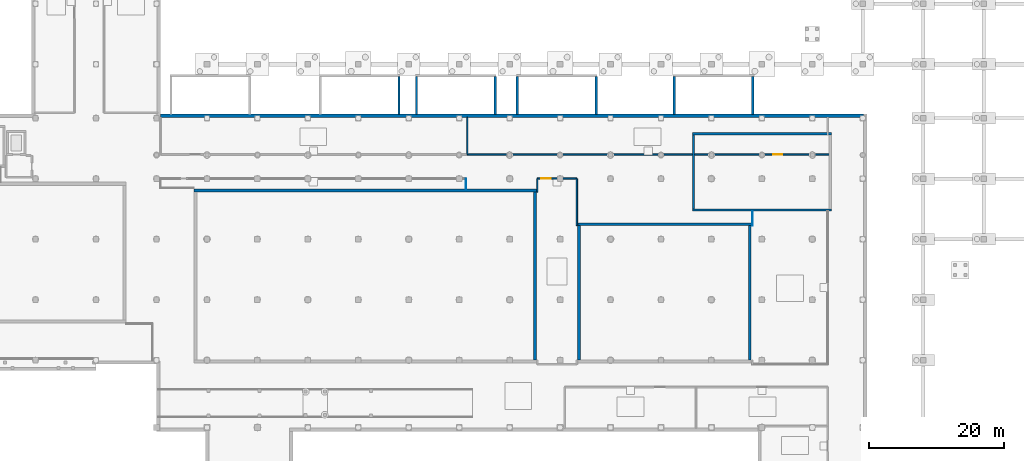
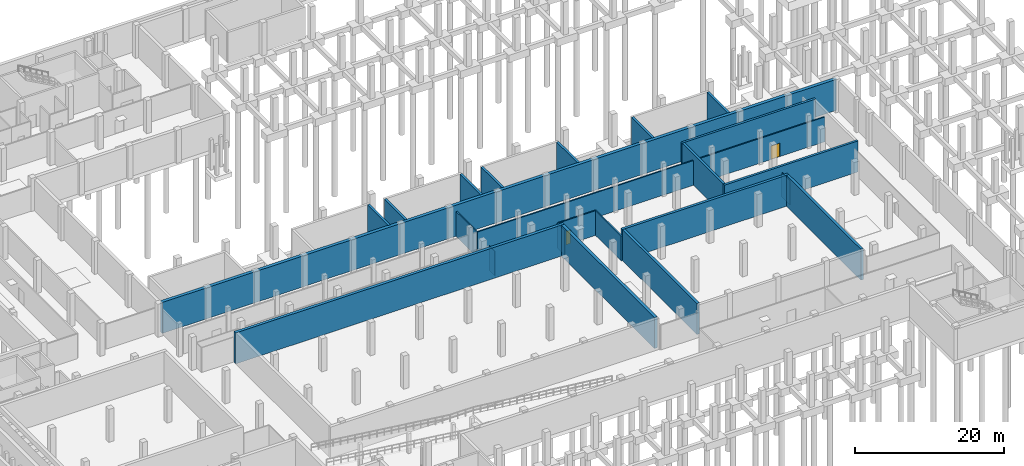
# One storey, part 11 of 19: 23 walls, 2 doors, 2 openings.
"""IFC4 building model written with IfcOpenShell, lengths in metres."""

from ifc_helpers import new_model, si_unit, direction, frame, frame_2d, origin, place, context, subcontext, project, spatial, rectangle, extrude, material, layer, layer_set, type_object, element, fill, save


model = new_model("IFC4")

# Units and contexts
model_context = context("Model", 3, precision=1e-05, world=origin(), true_north=direction((0.0, 1.0)))
body_context = subcontext(model_context, "Body", "Model", "MODEL_VIEW")
ifc_project = project(units=[si_unit("LENGTHUNIT", "METRE"), si_unit("AREAUNIT", "SQUARE_METRE"), si_unit("VOLUMEUNIT", "CUBIC_METRE"), si_unit("PLANEANGLEUNIT", "RADIAN"), si_unit("MASSUNIT", "GRAM", prefix="KILO")], contexts=[model_context])

# Site, building, storey
site_placement = place(None, origin())
site = spatial("IfcSite", under=ifc_project, at=site_placement, CompositionType="ELEMENT")
building_placement = place(site_placement, origin())
building = spatial("IfcBuilding", under=site, at=building_placement, Name="Vourika Railside Aquatics Centre", CompositionType="ELEMENT")
storey_placement = place(building_placement, frame((0.0, 0.0, -5.39990234375)))
storey = spatial("IfcBuildingStorey", under=building, at=storey_placement, Name="B1", CompositionType="ELEMENT", Elevation=-5.39990234375)

# Walls
ifc_material_1 = material(Name="Lightweight drylining partition")
ifc_layer_1 = layer(ifc_material_1, 0.1201171875, Name="WL-PART-120")
ifc_layer_set_1 = layer_set([ifc_layer_1], Name="Lightweight drylining partition")
wall_type_1 = type_object("IfcWallType", Name="WL-PART-120", PredefinedType="PARTITIONING", material=ifc_layer_set_1)
wall_1_placement = place(storey_placement, frame((82.0, 49.0, 0.0), z_axis=(0.0, 0.0, 1.0), x_axis=(0.0, -1.0, 0.0)))
element("IfcWall", 1, at=wall_1_placement, inside=storey, type_object=wall_type_1, Name="Competition Pool Sand and Ultrafiltration Hall Partition 3", PredefinedType="PARTITIONING", context=body_context, shape_type="SweptSolid", body=[
    extrude(rectangle(XDim=1.570068359375, YDim=0.1201171875, at=frame_2d((0.78515625, 0.0))), origin(), (0.0, 0.0, 1.0), 4.0498046875),
])
wall_2_placement = place(storey_placement, frame((124.60009765625, 42.0, 0.0), z_axis=(0.0, 0.0, 1.0), x_axis=(0.0, 1.0, 0.0)))
element("IfcWall", 2, at=wall_2_placement, inside=storey, type_object=wall_type_1, Name="Training and Leisure Pool Filtration Hall Partition 4", PredefinedType="PARTITIONING", context=body_context, shape_type="SweptSolid", body=[
    extrude(rectangle(XDim=2.169921875, YDim=0.1201171875, at=frame_2d((1.0849609375, 0.0))), origin(), (0.0, 0.0, 1.0), 4.0498046875),
])

# Wall, opening, door
ifc_material_2 = material(Name="Acoustic masonry blockwork", Category="masonry")
ifc_layer_2 = layer(ifc_material_2, 0.199951171875, Name="WL-PART-200")
ifc_layer_set_2 = layer_set([ifc_layer_2], Name="Acoustic masonry blockwork")
wall_type_2 = type_object("IfcWallType", Name="WL-PART-200", PredefinedType="PARTITIONING", material=ifc_layer_set_2)
wall_3_placement = place(storey_placement, frame((92.60009765625, 49.0, 0.0), z_axis=(0.0, 0.0, 1.0), x_axis=(1.0, 0.0, 0.0)))
wall_3 = element("IfcWall", 3, at=wall_3_placement, inside=storey, type_object=wall_type_2, Name="Ozone Reactors and UV Disinfection Plant Partition 1", PredefinedType="PARTITIONING", context=body_context, shape_type="SweptSolid", body=[
    extrude(rectangle(XDim=5.89990234375, YDim=0.199951171875, at=frame_2d((2.949951171875, 0.0))), origin(), (0.0, 0.0, 1.0), 4.0498046875),
])
opening_1_placement = place(wall_3_placement, frame((0.60009765625, 0.0, 0.0)))
opening_1 = element("IfcOpeningElement", 4, at=opening_1_placement, cuts=wall_3, Name="Opening DP01", PredefinedType="OPENING", context=body_context, shape_type="SweptSolid", body=[
    extrude(rectangle(XDim=1.39990234375, YDim=2.199951171875, at=frame_2d((0.699951171875, 1.10009765625))), frame((0.0, 0.10986328125, 0.0), z_axis=(0.0, -1.0, 0.0), x_axis=(1.0, 0.0, 0.0)), (0.0, 0.0, 1.0), 0.219970703125),
])
ifc_material_3 = material(Name="Fire-rated plant room double door")
door_type = type_object("IfcDoorType", Name="DR-PLT-1400D", OperationType="DOUBLE_DOOR_SINGLE_SWING", PredefinedType="DOOR", material=ifc_material_3)
door_1_placement = place(opening_1_placement, origin())
door_1 = element("IfcDoor", 5, at=door_1_placement, inside=storey, type_object=door_type, Name="Ozone Reactors and UV Disinfection Plant Door", OperationType="DOUBLE_DOOR_SINGLE_SWING", OverallHeight=2.199951171875, OverallWidth=1.39990234375, PredefinedType="DOOR", context=body_context, shape_type="SweptSolid", body=[
    extrude(rectangle(XDim=1.39990234375, YDim=2.199951171875, at=frame_2d((0.699951171875, 1.10009765625))), frame((0.0, 0.02490234375, 0.0), z_axis=(0.0, -1.0, 0.0), x_axis=(1.0, 0.0, 0.0)), (0.0, 0.0, 1.0), 0.050048828125),
])
fill(opening_1, door_1)

# Walls
wall_4_placement = place(storey_placement, frame((92.60009765625, 47.0, 0.0), z_axis=(0.0, 0.0, 1.0), x_axis=(0.0, 1.0, 0.0)))
element("IfcWall", 6, at=wall_4_placement, inside=storey, type_object=wall_type_2, Name="Ozone Reactors and UV Disinfection Plant Partition 5", PredefinedType="PARTITIONING", context=body_context, shape_type="SweptSolid", body=[
    extrude(rectangle(XDim=2.0, YDim=0.199951171875, at=frame_2d((1.0, 0.0))), origin(), (0.0, 0.0, 1.0), 4.0498046875),
])
wall_5_placement = place(storey_placement, frame((98.5, 49.0, 0.0), z_axis=(0.0, 0.0, 1.0), x_axis=(0.0, -1.0, 0.0)))
element("IfcWall", 7, at=wall_5_placement, inside=storey, type_object=wall_type_2, Name="Ozone Reactors and UV Disinfection Plant Partition 6", PredefinedType="PARTITIONING", context=body_context, shape_type="SweptSolid", body=[
    extrude(rectangle(XDim=7.0, YDim=0.199951171875, at=frame_2d((3.5, 0.0))), origin(), (0.0, 0.0, 1.0), 4.0498046875),
])

# Wall, opening, door
wall_6_placement = place(storey_placement, frame((136.02001953125, 52.60009765625, 0.0), z_axis=(0.0, 0.0, 1.0), x_axis=(-1.0, 0.0, 0.0)))
wall_6 = element("IfcWall", 8, at=wall_6_placement, inside=storey, type_object=wall_type_2, Name="Natatorium Dehumidification AHU Plant East Partition 1", PredefinedType="PARTITIONING", context=body_context, shape_type="SweptSolid", body=[
    extrude(rectangle(XDim=53.820068359375, YDim=0.199951171875, at=frame_2d((26.91015625, 0.0))), origin(), (0.0, 0.0, 1.0), 4.0498046875),
])
opening_2_placement = place(wall_6_placement, frame((6.9599609375, 0.0, 0.0)))
opening_2 = element("IfcOpeningElement", 9, at=opening_2_placement, cuts=wall_6, Name="Opening DP01", PredefinedType="OPENING", context=body_context, shape_type="SweptSolid", body=[
    extrude(rectangle(XDim=1.39990234375, YDim=2.199951171875, at=frame_2d((0.699951171875, 1.10009765625))), frame((0.0, 0.10986328125, 0.0), z_axis=(0.0, -1.0, 0.0), x_axis=(1.0, 0.0, 0.0)), (0.0, 0.0, 1.0), 0.219970703125),
])
door_2_placement = place(opening_2_placement, origin())
door_2 = element("IfcDoor", 10, at=door_2_placement, inside=storey, type_object=door_type, Name="Natatorium Dehumidification AHU Plant East Door", OperationType="DOUBLE_DOOR_SINGLE_SWING", OverallHeight=2.199951171875, OverallWidth=1.39990234375, PredefinedType="DOOR", context=body_context, shape_type="SweptSolid", body=[
    extrude(rectangle(XDim=1.39990234375, YDim=2.199951171875, at=frame_2d((0.699951171875, 1.10009765625))), frame((0.0, 0.02490234375, 0.0), z_axis=(0.0, -1.0, 0.0), x_axis=(1.0, 0.0, 0.0)), (0.0, 0.0, 1.0), 0.050048828125),
])
fill(opening_2, door_2)

# Walls
wall_7_placement = place(storey_placement, frame((82.199951171875, 52.60009765625, 0.0), z_axis=(0.0, 0.0, 1.0), x_axis=(0.0, 1.0, 0.0)))
element("IfcWall", 11, at=wall_7_placement, inside=storey, type_object=wall_type_2, Name="Natatorium Dehumidification AHU Plant East Partition 2", PredefinedType="PARTITIONING", context=body_context, shape_type="SweptSolid", body=[
    extrude(rectangle(XDim=5.52001953125, YDim=0.199951171875, at=frame_2d((2.760009765625, 0.0))), origin(), (0.0, 0.0, 1.0), 4.0498046875),
])
ifc_material_4 = material(Name="Concrete C40/50", Category="concrete")
ifc_layer_3 = layer(ifc_material_4, 0.5, Name="WL-RET-500")
ifc_layer_set_3 = layer_set([ifc_layer_3], Name="Concrete C40/50")
wall_type_3 = type_object("IfcWallType", Name="WL-RET-500", PredefinedType="USERDEFINED", material=ifc_layer_set_3)
wall_8_placement = place(storey_placement, frame((36.60009765625, 58.35009765625, 0.0), z_axis=(0.0, 0.0, 1.0), x_axis=(1.0, 0.0, 0.0)))
element("IfcWall", 12, at=wall_8_placement, inside=storey, type_object=wall_type_3, Name="Basement Retaining Wall RW-17", ObjectType="RETAININGWALL", PredefinedType="USERDEFINED", context=body_context, shape_type="SweptSolid", body=[
    extrude(rectangle(XDim=104.5, YDim=0.5, at=frame_2d((52.25, 0.0))), origin(), (0.0, 0.0, 1.0), 5.079833984375),
])
ifc_layer_4 = layer(ifc_material_4, 0.35009765625, Name="WL-TANK-350")
ifc_layer_set_4 = layer_set([ifc_layer_4], Name="Concrete C40/50")
wall_type_4 = type_object("IfcWallType", Name="WL-TANK-350", PredefinedType="SOLIDWALL", material=ifc_layer_set_4)
for number, where, z_axis, x_axis, name in (
    (13, (72.050048828125, 58.550048828125, 0.0), (0.0, 0.0, 1.0), (0.0, 1.0, 0.0), "Substructure Core Foundation Wall ST08-E"),
    (14, (89.64990234375, 64.14990234375, 0.0), (0.0, 0.0, 1.0), (0.0, -1.0, 0.0), "Substructure Core Foundation Wall ST09-W"),
    (15, (101.35009765625, 58.550048828125, 0.0), (0.0, 0.0, 1.0), (0.0, 1.0, 0.0), "Substructure Core Foundation Wall ST09-E"),
    (16, (112.949951171875, 64.14990234375, 0.0), (0.0, 0.0, 1.0), (0.0, -1.0, 0.0), "Substructure Core Foundation Wall ST10-W"),
    (17, (124.64990234375, 58.550048828125, 0.0), (0.0, 0.0, 1.0), (0.0, 1.0, 0.0), "Substructure Core Foundation Wall ST10-E"),
    (18, (74.64990234375, 64.14990234375, 0.0), (0.0, 0.0, 1.0), (0.0, -1.0, 0.0), "Substructure Core Foundation Wall ST12-W"),
    (19, (86.35009765625, 58.550048828125, 0.0), (0.0, 0.0, 1.0), (0.0, 1.0, 0.0), "Substructure Core Foundation Wall ST12-E"),
):
    element("IfcWall", number, at=place(storey_placement, frame(where, z_axis=z_axis, x_axis=x_axis)), inside=storey, type_object=wall_type_4, Name=name, PredefinedType="SOLIDWALL", context=body_context, shape_type="SweptSolid", body=[
        extrude(rectangle(XDim=5.599853515625, YDim=0.35009765625, at=frame_2d((2.7998046875, 0.0))), origin(), (0.0, 0.0, 1.0), 5.079833984375),
    ])
for number, where, z_axis, x_axis, name in (
    (20, (115.64990234375, 44.324951171875, 0.0), (0.0, 0.0, 1.0), (1.0, 0.0, 0.0), "Leisure Swim Lagoon Pool Tank Slab Wall S"),
    (21, (136.35009765625, 55.675048828125, 0.0), (0.0, 0.0, 1.0), (-1.0, 0.0, 0.0), "Leisure Swim Lagoon Pool Tank Slab Wall N"),
):
    element("IfcWall", number, at=place(storey_placement, frame(where, z_axis=z_axis, x_axis=x_axis)), inside=storey, type_object=wall_type_4, Name=name, PredefinedType="SOLIDWALL", context=body_context, shape_type="SweptSolid", body=[
        extrude(rectangle(XDim=20.7001953125, YDim=0.35009765625, at=frame_2d((10.35009765625, 0.0))), origin(), (0.0, 0.0, 1.0), 5.079833984375),
    ])
wall_9_placement = place(storey_placement, frame((115.824951171875, 55.5, 0.0), z_axis=(0.0, 0.0, 1.0), x_axis=(0.0, -1.0, 0.0)))
element("IfcWall", 22, at=wall_9_placement, inside=storey, type_object=wall_type_4, Name="Leisure Swim Lagoon Pool Tank Slab Wall W", PredefinedType="SOLIDWALL", context=body_context, shape_type="SweptSolid", body=[
    extrude(rectangle(XDim=11.0, YDim=0.35009765625, at=frame_2d((5.5, 0.0))), origin(), (0.0, 0.0, 1.0), 5.079833984375),
])
ifc_layer_5 = layer(ifc_material_4, 0.39990234375, Name="WL-TANK-400")
ifc_layer_set_5 = layer_set([ifc_layer_5], Name="Concrete C40/50")
wall_type_5 = type_object("IfcWallType", Name="WL-TANK-400", PredefinedType="SOLIDWALL", material=ifc_layer_set_5)
wall_10_placement = place(storey_placement, frame((124.39990234375, 42.199951171875, 0.0), z_axis=(0.0, 0.0, 1.0), x_axis=(-1.0, 0.0, 0.0)))
element("IfcWall", 23, at=wall_10_placement, inside=storey, type_object=wall_type_5, Name="Training Pool Tank Slab Wall N", PredefinedType="SOLIDWALL", context=body_context, shape_type="SweptSolid", body=[
    extrude(rectangle(XDim=25.7998046875, YDim=0.39990234375, at=frame_2d((12.89990234375, 0.0))), origin(), (0.0, 0.0, 1.0), 5.079833984375),
])
for number, where, z_axis, x_axis, name in (
    (24, (98.800048828125, 42.0, 0.0), (0.0, 0.0, 1.0), (0.0, -1.0, 0.0), "Training Pool Tank Slab Wall W"),
    (25, (124.199951171875, 22.0, 0.0), (0.0, 0.0, 1.0), (0.0, 1.0, 0.0), "Training Pool Tank Slab Wall E"),
):
    element("IfcWall", number, at=place(storey_placement, frame(where, z_axis=z_axis, x_axis=x_axis)), inside=storey, type_object=wall_type_5, Name=name, PredefinedType="SOLIDWALL", context=body_context, shape_type="SweptSolid", body=[
        extrude(rectangle(XDim=20.0, YDim=0.39990234375, at=frame_2d((10.0, 0.0))), origin(), (0.0, 0.0, 1.0), 5.079833984375),
    ])
ifc_layer_6 = layer(ifc_material_4, 0.449951171875, Name="WL-TANK-450")
ifc_layer_set_6 = layer_set([ifc_layer_6], Name="Concrete C40/50")
wall_type_6 = type_object("IfcWallType", Name="WL-TANK-450", PredefinedType="SOLIDWALL", material=ifc_layer_set_6)
wall_11_placement = place(storey_placement, frame((92.469970703125, 47.22509765625, 0.0), z_axis=(0.0, 0.0, 1.0), x_axis=(-1.0, 0.0, 0.0)))
element("IfcWall", 26, at=wall_11_placement, inside=storey, type_object=wall_type_6, Name="Competition Pool Tank Slab Wall N", PredefinedType="SOLIDWALL", context=body_context, shape_type="SweptSolid", body=[
    extrude(rectangle(XDim=50.919921875, YDim=0.449951171875, at=frame_2d((25.4599609375, 0.0))), origin(), (0.0, 0.0, 1.0), 5.079833984375),
])
wall_12_placement = place(storey_placement, frame((92.2451171875, 22.0, 0.0), z_axis=(0.0, 0.0, 1.0), x_axis=(0.0, 1.0, 0.0)))
element("IfcWall", 27, at=wall_12_placement, inside=storey, type_object=wall_type_6, Name="Competition Pool Tank Slab Wall E", PredefinedType="SOLIDWALL", context=body_context, shape_type="SweptSolid", body=[
    extrude(rectangle(XDim=25.0, YDim=0.449951171875, at=frame_2d((12.5, 0.0))), origin(), (0.0, 0.0, 1.0), 5.079833984375),
])

save(model, "model.ifc")
